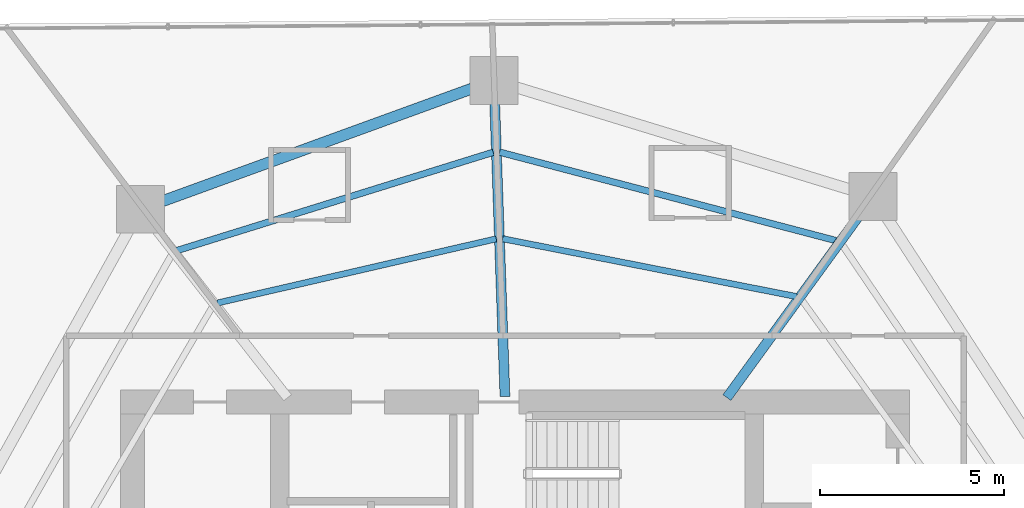
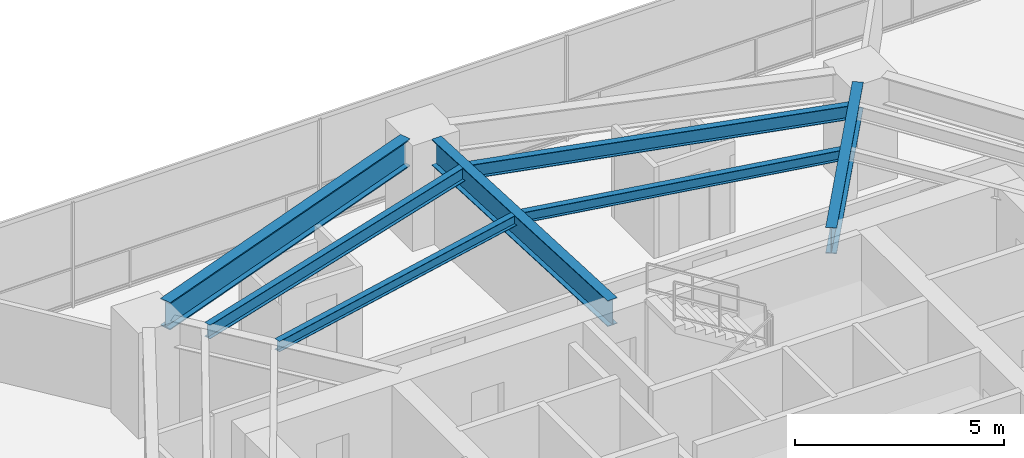
# One storey, part 18 of 31: 7 beams.
"""IFC4 building model written with IfcOpenShell, lengths in metres."""

import ifcopenshell
import ifcopenshell.guid

model = None  # the IFC model being written
_history = None  # IfcOwnerHistory: only IFC2X3 demands one
_inside = {}  # id of a spatial element -> (the spatial element, [elements in it])
_under = {}  # id of a project, library or spatial element -> (it, [spatial elements below it])
_declared = {}  # id of a project -> (the project, [libraries it declares])
_typed = {}  # id of a type object -> (the type object, [elements of that type])
_made_of = {}  # id of a material, layer set ... -> (it, [elements and type objects made of it])


def new_model(schema):
    """Start an empty IFC model of exactly this schema.

    Asked for "IFC4X3", IfcOpenShell would pick the latest addendum, in which some entities
    have other attributes; the version numbers below select the first issue.
    IFC2X3 requires an IfcOwnerHistory on every rooted entity: one is made here for all.
    """
    global model, _history
    if schema == "IFC4X3":
        model = ifcopenshell.file(schema_version=(4, 3, 0, 0))
    else:
        model = ifcopenshell.file(schema=schema)
    _inside.clear()
    _under.clear()
    _declared.clear()
    _typed.clear()
    _made_of.clear()
    _history = None
    if model.schema == "IFC2X3":
        org = make("IfcOrganization", Name="unknown")
        user = make(
            "IfcPersonAndOrganization",
            ThePerson=make("IfcPerson", FamilyName="unknown"),
            TheOrganization=org,
        )
        app = make(
            "IfcApplication",
            ApplicationDeveloper=org,
            Version="unknown",
            ApplicationFullName="unknown",
            ApplicationIdentifier="unknown",
        )
        _history = make(
            "IfcOwnerHistory",
            OwningUser=user,
            OwningApplication=app,
            ChangeAction="ADDED",
            CreationDate=0,
        )
    return model


def make(cls, **values):
    """One entity of the class cls with the attributes given. An attribute that is None is left unset."""
    return model.create_entity(
        cls, **{name: value for name, value in values.items() if value is not None}
    )


def rooted(cls, **values):
    """An entity with a GlobalId (a new one), such as an element, a storey or a relation."""
    return make(cls, GlobalId=ifcopenshell.guid.new(), OwnerHistory=_history, **values)


def si_unit(unit_type, name, prefix=None):
    """IfcSIUnit, for example si_unit("LENGTHUNIT", "METRE", prefix="MILLI")."""
    return make("IfcSIUnit", UnitType=unit_type, Prefix=prefix, Name=name)


def assignment(units):
    """IfcUnitAssignment: the units of a project."""
    return None if units is None else make("IfcUnitAssignment", Units=units)


def point(xyz):
    """IfcCartesianPoint."""
    return None if xyz is None else make("IfcCartesianPoint", Coordinates=xyz)


def direction(xyz):
    """IfcDirection."""
    return None if xyz is None else make("IfcDirection", DirectionRatios=xyz)


def frame(location, z_axis=None, x_axis=None):
    """IfcAxis2Placement3D, a coordinate frame: its origin and axes. An axis left out is left unset."""
    return make(
        "IfcAxis2Placement3D",
        Location=point(location),
        Axis=direction(z_axis),
        RefDirection=direction(x_axis),
    )


def frame_2d(location, x_axis=None):
    """IfcAxis2Placement2D, a coordinate frame in the plane: its origin and x axis."""
    return make(
        "IfcAxis2Placement2D", Location=point(location), RefDirection=direction(x_axis)
    )


def origin():
    """The frame at (0, 0, 0) with its axes left unset."""
    return frame((0.0, 0.0, 0.0))


def origin_2d():
    """The frame at (0, 0) in the plane with its x axis left unset."""
    return frame_2d((0.0, 0.0))


def place(relative_to, where):
    """IfcLocalPlacement: puts the frame where relative to a parent placement (None: the world)."""
    return make(
        "IfcLocalPlacement", PlacementRelTo=relative_to, RelativePlacement=where
    )


def context(
    kind, dimensions, precision=None, world=None, true_north=None, identifier=None
):
    """IfcGeometricRepresentationContext, for example the 3D "Model" context."""
    return make(
        "IfcGeometricRepresentationContext",
        ContextIdentifier=identifier,
        ContextType=kind,
        CoordinateSpaceDimension=dimensions,
        Precision=precision,
        WorldCoordinateSystem=world,
        TrueNorth=true_north,
    )


def subcontext(parent, identifier, kind, view, scale=None):
    """IfcGeometricRepresentationSubContext, for example "Body" below "Model"."""
    return make(
        "IfcGeometricRepresentationSubContext",
        ContextIdentifier=identifier,
        ContextType=kind,
        ParentContext=parent,
        TargetScale=scale,
        TargetView=view,
    )


def project(units=None, contexts=None):
    """IfcProject with its units and contexts."""
    return rooted(
        "IfcProject",
        Name="project",
        RepresentationContexts=contexts,
        UnitsInContext=assignment(units),
    )


def spatial(cls, under=None, at=None, **own):
    """A site, building, storey or space (cls), placed at a placement, below another one or the project."""
    s = rooted(cls, ObjectPlacement=at, **own)
    if under is not None:
        _under.setdefault(under.id(), (under, []))[1].append(s)
    return s


def profile(cls, at=None, kind="AREA", **sizes):
    """A parametric profile (cls). Its sizes go by their IFC names, for example OverallWidth=200.0."""
    return make(cls, ProfileType=kind, Position=at, **sizes)


def i_section(**sizes):
    """IfcIShapeProfileDef."""
    return profile("IfcIShapeProfileDef", **sizes)


def extrude(swept, where, along, depth):
    """IfcExtrudedAreaSolid: the profile swept, set in the frame where, extruded along a direction by depth."""
    return make(
        "IfcExtrudedAreaSolid",
        SweptArea=swept,
        Position=where,
        ExtrudedDirection=direction(along),
        Depth=depth,
    )


def shape(context_of_items, identifier, shape_type, items):
    """IfcShapeRepresentation: the items that make up one representation, for example the "Body"."""
    return make(
        "IfcShapeRepresentation",
        ContextOfItems=context_of_items,
        RepresentationIdentifier=identifier,
        RepresentationType=shape_type,
        Items=items,
    )


def material(Name=None, Category=None):
    """IfcMaterial."""
    return make("IfcMaterial", Name=Name, Category=Category)


def material_profile(
    of_material, cross_section, Name=None, Category=None, Priority=None
):
    """IfcMaterialProfile: a cross section and its material."""
    return make(
        "IfcMaterialProfile",
        Name=Name,
        Material=of_material,
        Profile=cross_section,
        Priority=Priority,
        Category=Category,
    )


def profile_set(profiles, Name=None, composite=None):
    """IfcMaterialProfileSet."""
    return make(
        "IfcMaterialProfileSet",
        Name=Name,
        MaterialProfiles=profiles,
        CompositeProfile=composite,
    )


def made_of(thing, what):
    """Note that an element or type object is made of a material, layer set ...; save() writes the relation."""
    if what is not None:
        _made_of.setdefault(what.id(), (what, []))[1].append(thing)
    return thing


def type_object(cls, material=None, **own):
    """A type object (cls), such as IfcWallType, which elements share."""
    return made_of(rooted(cls, **own), material)


def element(
    cls,
    number,
    at=None,
    inside=None,
    cuts=None,
    type_object=None,
    material=None,
    context=None,
    identifier="Body",
    shape_type=None,
    held_by="IfcProductDefinitionShape",
    body=None,
    shapes=None,
    **own,
):
    """One element of the class cls, such as IfcWall. Its Tag is "e" and its number.

    at: its placement. inside: the storey or other place that contains it. cuts: it is an
    opening in that element (IfcRelVoidsElement). A single representation is given by context,
    identifier, shape_type and body (its items); several are given by shapes. held_by: the class
    of the entity that holds the representations. save() writes the other relations.
    """
    e = rooted(cls, Tag="e%d" % number, ObjectPlacement=at, **own)
    if body is not None:
        shapes = [shape(context, identifier, shape_type, body)]
    if shapes is not None:
        e.Representation = make(held_by, Representations=shapes)
    if inside is not None:
        _inside.setdefault(inside.id(), (inside, []))[1].append(e)
    if cuts is not None:
        rooted(
            "IfcRelVoidsElement", RelatingBuildingElement=cuts, RelatedOpeningElement=e
        )
    if type_object is not None:
        _typed.setdefault(type_object.id(), (type_object, []))[1].append(e)
    return made_of(e, material)


def aggregate(whole, parts):
    """IfcRelAggregates: a whole, such as a stair, and the parts it consists of."""
    return rooted("IfcRelAggregates", RelatingObject=whole, RelatedObjects=parts)


def save(model, path):
    """Write the relations noted so far, then the file.

    IfcRelAggregates (storeys below a building ...), IfcRelContainedInSpatialStructure (elements
    in a storey), IfcRelDefinesByType, IfcRelAssociatesMaterial and IfcRelDeclares: one each for
    every whole, place, type object, material and project.
    """
    for whole, parts in _under.values():
        aggregate(whole, parts)
    for where, things in _inside.values():
        rooted(
            "IfcRelContainedInSpatialStructure",
            RelatedElements=things,
            RelatingStructure=where,
        )
    for kind, things in _typed.values():
        rooted("IfcRelDefinesByType", RelatedObjects=things, RelatingType=kind)
    for what, things in _made_of.values():
        rooted("IfcRelAssociatesMaterial", RelatedObjects=things, RelatingMaterial=what)
    for by, libraries in _declared.values():
        rooted("IfcRelDeclares", RelatingContext=by, RelatedDefinitions=libraries)
    model.write(path)


model = new_model("IFC4")

# Units and contexts
model_context = context("Model", 3, precision=1e-05, world=origin(), true_north=direction((0.0, 1.0)))
body_context = subcontext(model_context, "Body", "Model", "MODEL_VIEW")
ifc_project = project(units=[si_unit("LENGTHUNIT", "METRE"), si_unit("AREAUNIT", "SQUARE_METRE"), si_unit("VOLUMEUNIT", "CUBIC_METRE"), si_unit("PLANEANGLEUNIT", "RADIAN"), si_unit("MASSUNIT", "GRAM", prefix="KILO")], contexts=[model_context])

# Site, building, storey
site_placement = place(None, origin())
site = spatial("IfcSite", under=ifc_project, at=site_placement, CompositionType="ELEMENT")
building_placement = place(site_placement, origin())
building = spatial("IfcBuilding", under=site, at=building_placement, Name="Qarnah Convention Tower", CompositionType="ELEMENT")
storey_placement = place(building_placement, frame((0.0, 0.0, 68.39990234375)))
storey = spatial("IfcBuildingStorey", under=building, at=storey_placement, Name="L17", CompositionType="ELEMENT", Elevation=68.39990234375)

# Beams
ifc_material = material(Name="Structural steel S355JR", Category="steel")
ifc_material_profile_1 = material_profile(ifc_material, i_section(OverallWidth=0.166015625, OverallDepth=0.31201171875, WebThickness=0.007080078125, FlangeThickness=0.010986328125, at=origin_2d()), Name="W310X45")
ifc_profile_set_1 = profile_set([ifc_material_profile_1], Name="Structural steel S355JR")
beam_type_1 = type_object("IfcBeamType", Name="BM-JST-W310", PredefinedType="JOIST", material=ifc_profile_set_1)
beam_1_placement = place(storey_placement, frame((44.85009765625, 37.06689453125, 2.93408203125), z_axis=(-0.981172206516, 0.193134929933, 0.0), x_axis=(-0.193134929933, -0.981172206516, 0.0)))
element("IfcBeam", 1, at=beam_1_placement, inside=storey, type_object=beam_type_1, Name="L17 joist BM-L17-IJST-02", PredefinedType="JOIST", context=body_context, shape_type="SweptSolid", body=[
    extrude(i_section(OverallWidth=0.166015625, OverallDepth=0.31201171875, WebThickness=0.007080078125, FlangeThickness=0.010986328125, at=origin_2d()), origin(), (0.0, 0.0, 1.0), 8.14453125),
])
beam_2_placement = place(storey_placement, frame((36.68310546875, 38.636962890625, 2.93408203125), z_axis=(-0.97452280151, -0.224288451192, 0.0), x_axis=(0.224288451192, -0.97452280151, 0.0)))
element("IfcBeam", 2, at=beam_2_placement, inside=storey, type_object=beam_type_1, Name="L17 joist BM-L17-IJST-03", PredefinedType="JOIST", context=body_context, shape_type="SweptSolid", body=[
    extrude(i_section(OverallWidth=0.166015625, OverallDepth=0.31201171875, WebThickness=0.007080078125, FlangeThickness=0.010986328125, at=origin_2d()), origin(), (0.0, 0.0, 1.0), 7.775146484375),
])
ifc_material_profile_2 = material_profile(ifc_material, i_section(OverallWidth=0.177978515625, OverallDepth=0.407958984375, WebThickness=0.008056640625, FlangeThickness=0.012939453125, at=origin_2d()), Name="W410X60")
ifc_profile_set_2 = profile_set([ifc_material_profile_2], Name="Structural steel S355JR")
beam_type_2 = type_object("IfcBeamType", Name="BM-JST-W410", PredefinedType="JOIST", material=ifc_profile_set_2)
beam_3_placement = place(storey_placement, frame((45.947998046875, 38.58203125, 2.885986328125), z_axis=(-0.967122537274, 0.254310829294, 0.0), x_axis=(-0.254310829294, -0.967122537274, 0.0)))
element("IfcBeam", 3, at=beam_3_placement, inside=storey, type_object=beam_type_2, Name="L17 joist BM-L17-SJST-02", PredefinedType="JOIST", context=body_context, shape_type="SweptSolid", body=[
    extrude(i_section(OverallWidth=0.177978515625, OverallDepth=0.407958984375, WebThickness=0.008056640625, FlangeThickness=0.012939453125, at=origin_2d()), origin(), (0.0, 0.0, 1.0), 9.48388671875),
])
beam_4_placement = place(storey_placement, frame((36.60302734375, 40.989990234375, 2.885986328125), z_axis=(-0.954952196177, -0.296759672154, 0.0), x_axis=(0.296759672154, -0.954952196177, 0.0)))
element("IfcBeam", 4, at=beam_4_placement, inside=storey, type_object=beam_type_2, Name="L17 joist BM-L17-SJST-03", PredefinedType="JOIST", context=body_context, shape_type="SweptSolid", body=[
    extrude(i_section(OverallWidth=0.177978515625, OverallDepth=0.407958984375, WebThickness=0.008056640625, FlangeThickness=0.012939453125, at=origin_2d()), origin(), (0.0, 0.0, 1.0), 9.010986328125),
])
ifc_material_profile_3 = material_profile(ifc_material, i_section(OverallWidth=0.26806640625, OverallDepth=0.760009765625, WebThickness=0.014892578125, FlangeThickness=0.02197265625, at=origin_2d()), Name="W760X185")
ifc_profile_set_3 = profile_set([ifc_material_profile_3], Name="Structural steel S355JR")
beam_type_3 = type_object("IfcBeamType", Name="BM-RAD-W760", PredefinedType="BEAM", material=ifc_profile_set_3)
beam_5_placement = place(storey_placement, frame((42.955078125, 34.321044921875, 2.710205078125), z_axis=(0.587873224058, 0.808953071837, 0.0), x_axis=(-0.808953071837, 0.587873224058, 0.0)))
element("IfcBeam", 5, at=beam_5_placement, inside=storey, type_object=beam_type_3, Name="L17 beam BM-L17-RAD-02", PredefinedType="BEAM", context=body_context, shape_type="SweptSolid", body=[
    extrude(i_section(OverallWidth=0.26806640625, OverallDepth=0.760009765625, WebThickness=0.014892578125, FlangeThickness=0.02197265625, at=origin_2d()), origin(), (0.0, 0.0, 1.0), 6.12890625),
])
beam_6_placement = place(storey_placement, frame((36.922119140625, 34.35009765625, 2.710205078125), z_axis=(-0.034913066254, 0.999390353068, 0.0), x_axis=(-0.999390353068, -0.034913066254, 0.0)))
element("IfcBeam", 6, at=beam_6_placement, inside=storey, type_object=beam_type_3, Name="L17 beam BM-L17-RAD-03", PredefinedType="BEAM", context=body_context, shape_type="SweptSolid", body=[
    extrude(i_section(OverallWidth=0.26806640625, OverallDepth=0.760009765625, WebThickness=0.014892578125, FlangeThickness=0.02197265625, at=origin_2d()), origin(), (0.0, 0.0, 1.0), 7.96484375),
])
ifc_material_profile_4 = material_profile(ifc_material, i_section(OverallWidth=0.300048828125, OverallDepth=0.800048828125, WebThickness=0.01806640625, FlangeThickness=0.032958984375, at=origin_2d()), Name="HEB800")
ifc_profile_set_4 = profile_set([ifc_material_profile_4], Name="Structural steel S355JR")
beam_type_4 = type_object("IfcBeamType", Name="BM-RING-HEB800", PredefinedType="BEAM", material=ifc_profile_set_4)
beam_7_placement = place(storey_placement, frame((36.02099609375, 42.720947265625, 2.690185546875), z_axis=(-0.939712145037, -0.341966496121, 0.0), x_axis=(0.341966496121, -0.939712145037, 0.0)))
element("IfcBeam", 7, at=beam_7_placement, inside=storey, type_object=beam_type_4, Name="L17 beam BM-L17-SPN-03", PredefinedType="BEAM", context=body_context, shape_type="SweptSolid", body=[
    extrude(i_section(OverallWidth=0.300048828125, OverallDepth=0.800048828125, WebThickness=0.01806640625, FlangeThickness=0.032958984375, at=origin_2d()), origin(), (0.0, 0.0, 1.0), 8.948486328125),
])

save(model, "model.ifc")
